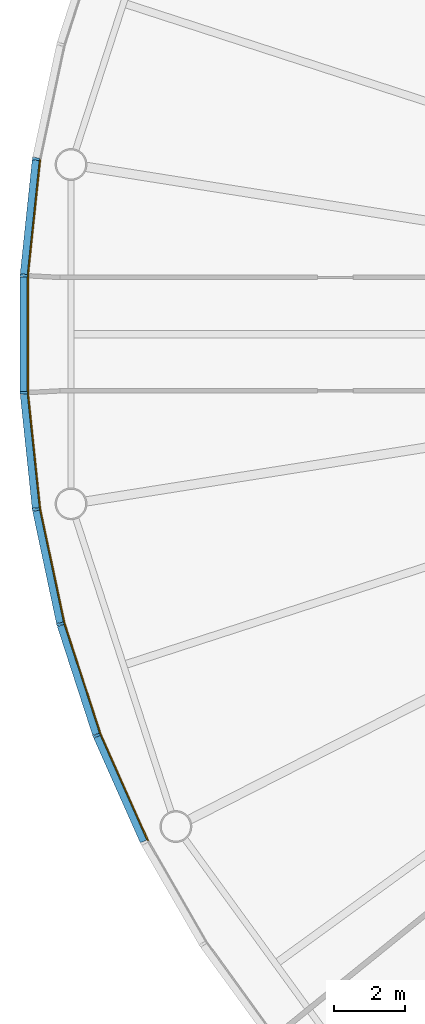
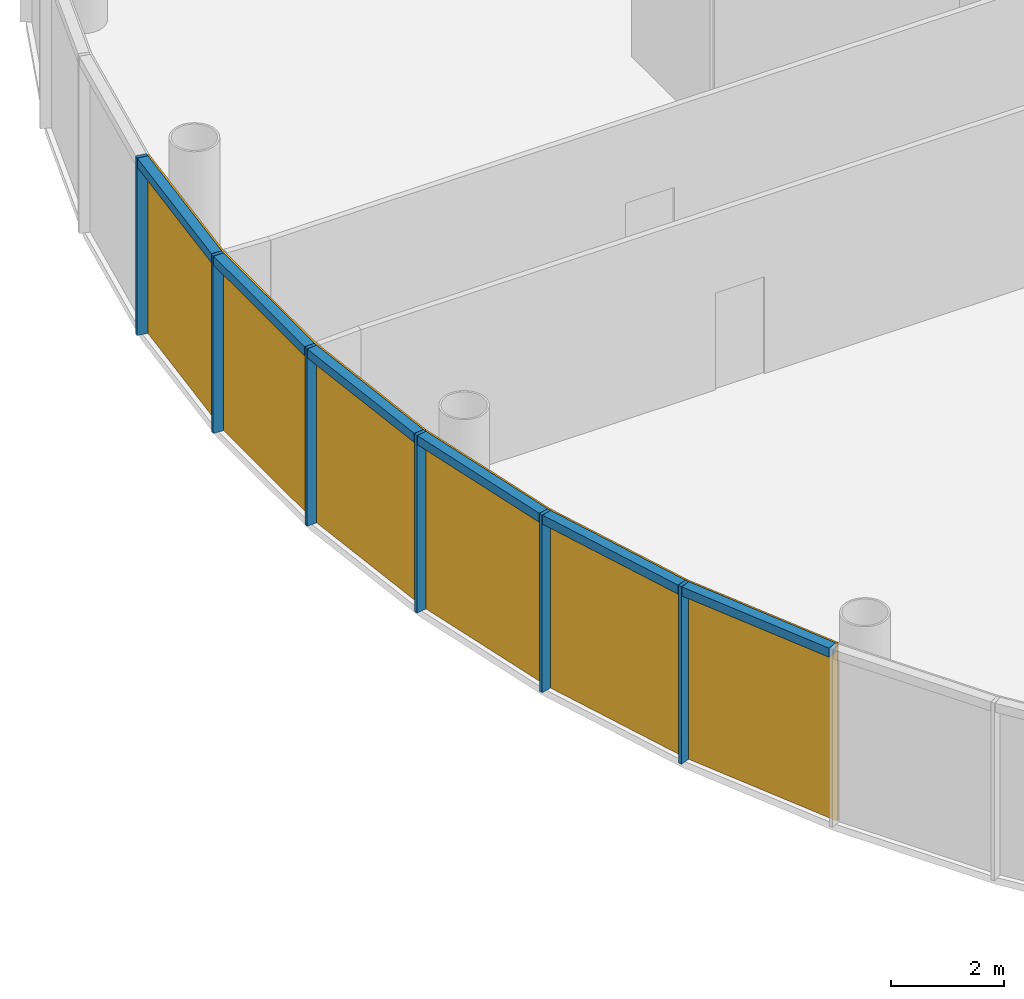
# One storey, part 8 of 13: 12 members, 2 curtain walls.
"""IFC4 building model written with IfcOpenShell, lengths in metres."""

from ifc_helpers import new_model, si_unit, direction, frame, origin, origin_2d, place, context, subcontext, project, spatial, polyline, rectangle, outline, extrude, material, layer, layer_set, material_profile, profile_set, type_object, element, aggregate, save


model = new_model("IFC4")

# Units and contexts
model_context = context("Model", 3, precision=1e-05, world=origin(), true_north=direction((0.0, 1.0)))
body_context = subcontext(model_context, "Body", "Model", "MODEL_VIEW")
ifc_project = project(units=[si_unit("LENGTHUNIT", "METRE"), si_unit("AREAUNIT", "SQUARE_METRE"), si_unit("VOLUMEUNIT", "CUBIC_METRE"), si_unit("PLANEANGLEUNIT", "RADIAN"), si_unit("MASSUNIT", "GRAM", prefix="KILO")], contexts=[model_context])

# Member
ifc_material_1 = material(Name="Anodised aluminium", Category="aluminium")
ifc_material_profile_1 = material_profile(ifc_material_1, rectangle(XDim=0.070068359375, YDim=0.205078125, at=origin_2d()), Name="Mullion 70 x 205 mm anodised aluminium")
ifc_profile_set_1 = profile_set([ifc_material_profile_1], Name="Anodised aluminium")
member_type_1 = type_object("IfcMemberType", Name="Mullion 70 x 205 mm anodised aluminium", PredefinedType="MULLION", material=ifc_profile_set_1)
site_placement = place(None, origin())
building_placement = place(site_placement, origin())
storey_placement = place(building_placement, frame((0.0, 0.0, 340.0)))
member_1_placement = place(storey_placement, frame((58.78662109375, 84.943603515625, 0.0), z_axis=(0.0, 0.0, 1.0), x_axis=(-0.15643446504, -0.987688340595, 0.0)))
member_1 = element("IfcMember", 1, at=member_1_placement, type_object=member_type_1, Name="MULLION L78-27", PredefinedType="MULLION", context=body_context, shape_type="SweptSolid", body=[
    extrude(rectangle(XDim=0.070068359375, YDim=0.205078125, at=origin_2d()), origin(), (0.0, 0.0, 1.0), 3.85009765625),
])

member_2_placement = place(storey_placement, frame((58.44091796875, 81.654052734375, 0.0), z_axis=(0.0, 0.0, 1.0), x_axis=(-0.052335956243, -0.998629534755, 0.0)))
member_2 = element("IfcMember", 2, at=member_2_placement, type_object=member_type_1, Name="MULLION L78-28", PredefinedType="MULLION", context=body_context, shape_type="SweptSolid", body=[
    extrude(rectangle(XDim=0.070068359375, YDim=0.205078125, at=origin_2d()), origin(), (0.0, 0.0, 1.0), 3.85009765625),
])

member_3_placement = place(storey_placement, frame((58.44091796875, 78.345947265625, 0.0), z_axis=(0.0, 0.0, 1.0), x_axis=(0.052335956243, -0.998629534755, 0.0)))
member_3 = element("IfcMember", 3, at=member_3_placement, type_object=member_type_1, Name="MULLION L78-29", PredefinedType="MULLION", context=body_context, shape_type="SweptSolid", body=[
    extrude(rectangle(XDim=0.070068359375, YDim=0.205078125, at=origin_2d()), origin(), (0.0, 0.0, 1.0), 3.85009765625),
])

member_4_placement = place(storey_placement, frame((58.78662109375, 75.056396484375, 0.0), z_axis=(0.0, 0.0, 1.0), x_axis=(0.15643446504, -0.987688340595, 0.0)))
member_4 = element("IfcMember", 4, at=member_4_placement, type_object=member_type_1, Name="MULLION L78-30", PredefinedType="MULLION", context=body_context, shape_type="SweptSolid", body=[
    extrude(rectangle(XDim=0.070068359375, YDim=0.205078125, at=origin_2d()), origin(), (0.0, 0.0, 1.0), 3.85009765625),
])

member_5_placement = place(storey_placement, frame((59.474365234375, 71.820556640625, 0.0), z_axis=(0.0, 0.0, 1.0), x_axis=(0.258819045103, -0.965925826289, 0.0)))
member_5 = element("IfcMember", 5, at=member_5_placement, type_object=member_type_1, Name="MULLION L78-31", PredefinedType="MULLION", context=body_context, shape_type="SweptSolid", body=[
    extrude(rectangle(XDim=0.070068359375, YDim=0.205078125, at=origin_2d()), origin(), (0.0, 0.0, 1.0), 3.85009765625),
])

member_6_placement = place(storey_placement, frame((60.49658203125, 68.674560546875, 0.0), z_axis=(0.0, 0.0, 1.0), x_axis=(0.358367949545, -0.933580426497, 0.0)))
member_6 = element("IfcMember", 6, at=member_6_placement, type_object=member_type_1, Name="MULLION L78-32", PredefinedType="MULLION", context=body_context, shape_type="SweptSolid", body=[
    extrude(rectangle(XDim=0.070068359375, YDim=0.205078125, at=origin_2d()), origin(), (0.0, 0.0, 1.0), 3.85009765625),
])

ifc_material_2 = material(Name="Anodised aluminium", Category="aluminium")
ifc_material_profile_2 = material_profile(ifc_material_2, rectangle(XDim=0.205078125, YDim=0.195068359375, at=origin_2d()), Name="Transom 195 x 205 mm anodised aluminium")
ifc_profile_set_2 = profile_set([ifc_material_profile_2], Name="Anodised aluminium")
member_type_2 = type_object("IfcMemberType", Name="Transom 195 x 205 mm anodised aluminium", PredefinedType="USERDEFINED", material=ifc_profile_set_2)
member_7_placement = place(storey_placement, frame((58.7822265625, 84.903564453125, 3.75244140625), z_axis=(-0.104550890115, -0.994519537956, 0.0), x_axis=(0.994519537956, -0.104550890115, 0.0)))
member_7 = element("IfcMember", 7, at=member_7_placement, type_object=member_type_2, Name="TRANSOM L78-27", ObjectType="TRANSOM", PredefinedType="USERDEFINED", context=body_context, shape_type="SweptSolid", body=[
    extrude(rectangle(XDim=0.205078125, YDim=0.195068359375, at=origin_2d()), origin(), (0.0, 0.0, 1.0), 3.22705078125),
])

member_8_placement = place(storey_placement, frame((58.440673828125, 81.613525390625, 3.75244140625), z_axis=(0.0, -1.0, 0.0), x_axis=(1.0, 0.0, 0.0)))
member_8 = element("IfcMember", 8, at=member_8_placement, type_object=member_type_2, Name="TRANSOM L78-28", ObjectType="TRANSOM", PredefinedType="USERDEFINED", context=body_context, shape_type="SweptSolid", body=[
    extrude(rectangle(XDim=0.205078125, YDim=0.195068359375, at=origin_2d()), origin(), (0.0, 0.0, 1.0), 3.22705078125),
])

member_9_placement = place(storey_placement, frame((58.44482421875, 78.305908203125, 3.75244140625), z_axis=(0.104550890115, -0.994519537956, 0.0), x_axis=(0.994519537956, 0.104550890115, 0.0)))
member_9 = element("IfcMember", 9, at=member_9_placement, type_object=member_type_2, Name="TRANSOM L78-29", ObjectType="TRANSOM", PredefinedType="USERDEFINED", context=body_context, shape_type="SweptSolid", body=[
    extrude(rectangle(XDim=0.205078125, YDim=0.195068359375, at=origin_2d()), origin(), (0.0, 0.0, 1.0), 3.22705078125),
])

member_10_placement = place(storey_placement, frame((58.794921875, 75.016845703125, 3.75244140625), z_axis=(0.207885898771, -0.978153082647, 0.0), x_axis=(0.978153082647, 0.207885898771, 0.0)))
member_10 = element("IfcMember", 10, at=member_10_placement, type_object=member_type_2, Name="TRANSOM L78-30", ObjectType="TRANSOM", PredefinedType="USERDEFINED", context=body_context, shape_type="SweptSolid", body=[
    extrude(rectangle(XDim=0.205078125, YDim=0.195068359375, at=origin_2d()), origin(), (0.0, 0.0, 1.0), 3.227294921875),
])

member_11_placement = place(storey_placement, frame((59.486572265625, 71.7822265625, 3.75244140625), z_axis=(0.309046726844, -0.951046855117, 0.0), x_axis=(0.951046855117, 0.309046726844, 0.0)))
member_11 = element("IfcMember", 11, at=member_11_placement, type_object=member_type_2, Name="TRANSOM L78-31", ObjectType="TRANSOM", PredefinedType="USERDEFINED", context=body_context, shape_type="SweptSolid", body=[
    extrude(rectangle(XDim=0.205078125, YDim=0.195068359375, at=origin_2d()), origin(), (0.0, 0.0, 1.0), 3.22705078125),
])

member_12_placement = place(storey_placement, frame((60.5126953125, 68.6376953125, 3.75244140625), z_axis=(0.406791170024, -0.913521178731, 0.0), x_axis=(0.913521178731, 0.406791170024, 0.0)))
member_12 = element("IfcMember", 12, at=member_12_placement, type_object=member_type_2, Name="TRANSOM L78-32", ObjectType="TRANSOM", PredefinedType="USERDEFINED", context=body_context, shape_type="SweptSolid", body=[
    extrude(rectangle(XDim=0.205078125, YDim=0.195068359375, at=origin_2d()), origin(), (0.0, 0.0, 1.0), 3.22705078125),
])

# Site, building, storey
site = spatial("IfcSite", under=ifc_project, at=site_placement, CompositionType="ELEMENT")
building = spatial("IfcBuilding", under=site, at=building_placement, Name="Entoto Ring Tower", CompositionType="ELEMENT")
storey = spatial("IfcBuildingStorey", under=building, at=storey_placement, Name="L78", CompositionType="ELEMENT", Elevation=340.0)

# Curtain wall
ifc_material_3 = material(Name="Clear low-iron glass", Category="glass")
ifc_layer = layer(ifc_material_3, 0.035888671875)
ifc_layer_set = layer_set([ifc_layer], Name="Clear low-iron glass")
curtain_wall_type = type_object("IfcCurtainWallType", Name="Curtain wall system CW6 glazing 36 mm", PredefinedType="NOTDEFINED", material=ifc_layer_set)
curtain_wall_1_placement = place(storey_placement, origin())
curtain_wall_1 = element("IfcCurtainWall", 13, at=curtain_wall_1_placement, inside=storey, type_object=curtain_wall_type, Name="CW6 L78-10", PredefinedType="NOTDEFINED", context=body_context, shape_type="SweptSolid", body=[
    extrude(outline(polyline([(58.8876953125, 84.927734375), (58.543212890625, 81.648681640625), (58.543212890625, 78.351318359375), (58.8876953125, 75.072265625), (58.92333984375, 75.077880859375), (58.5791015625, 78.353271484375), (58.5791015625, 81.646728515625), (58.92333984375, 84.922119140625), (58.8876953125, 84.927734375)])), origin(), (0.0, 0.0, 1.0), 3.85009765625),
])

aggregate(curtain_wall_1, [member_1, member_2, member_3, member_7, member_8, member_9])

curtain_wall_2_placement = place(storey_placement, origin())
curtain_wall_2 = element("IfcCurtainWall", 14, at=curtain_wall_2_placement, inside=storey, type_object=curtain_wall_type, Name="CW6 L78-11", PredefinedType="NOTDEFINED", context=body_context, shape_type="SweptSolid", body=[
    extrude(outline(polyline([(58.8876953125, 75.072265625), (59.5732421875, 71.84716796875), (60.59228515625, 68.71142578125), (61.933349609375, 65.69921875), (61.96533203125, 65.715576171875), (60.6259765625, 68.724365234375), (59.608154296875, 71.8564453125), (58.92333984375, 75.077880859375), (58.8876953125, 75.072265625)])), origin(), (0.0, 0.0, 1.0), 3.85009765625),
])

aggregate(curtain_wall_2, [member_4, member_5, member_6, member_10, member_11, member_12])

save(model, "model.ifc")
